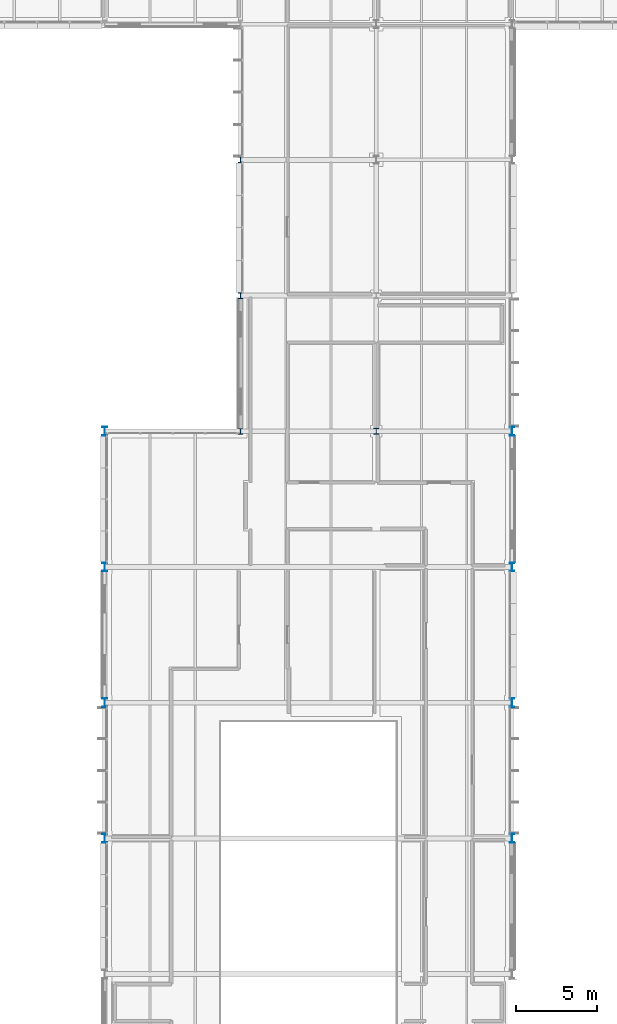
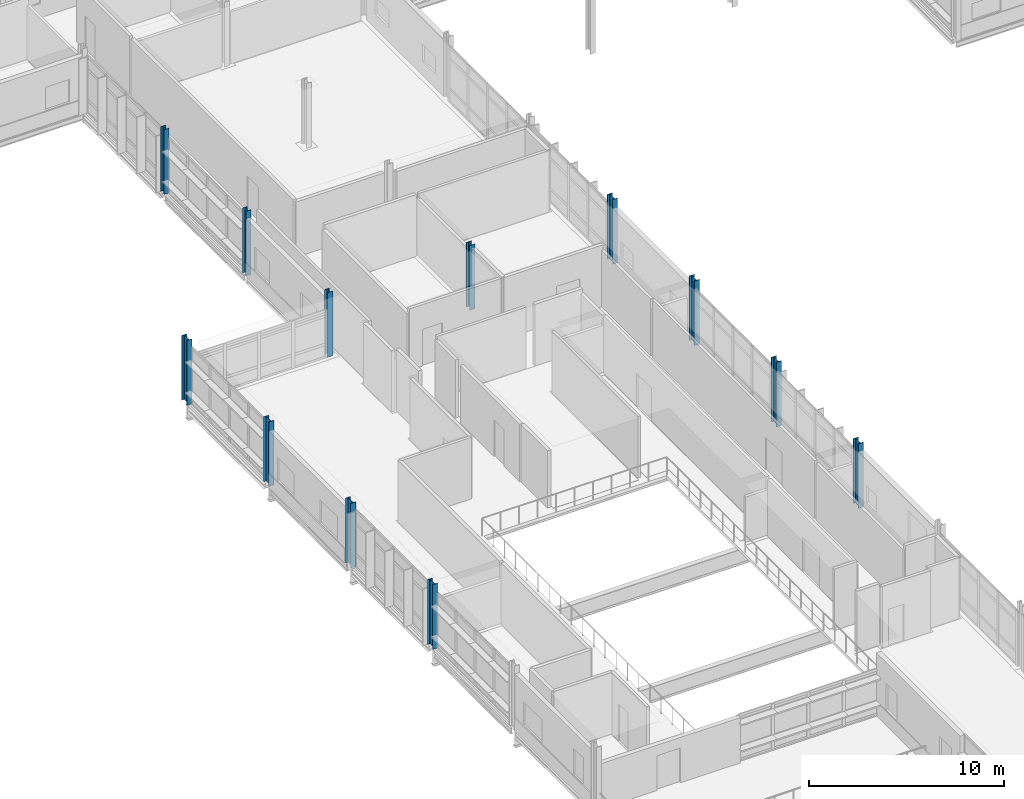
# One storey, part 8 of 131: 12 columns.
"""IFC4 building model written with IfcOpenShell, lengths in metres."""

from ifc_helpers import new_model, si_unit, direction, frame, origin, origin_2d, place, context, subcontext, project, spatial, i_section, extrude, material, material_profile, profile_set, type_object, element, save


model = new_model("IFC4")

# Units and contexts
model_context = context("Model", 3, precision=1e-05, world=origin(), true_north=direction((0.0, 1.0)))
body_context = subcontext(model_context, "Body", "Model", "MODEL_VIEW")
ifc_project = project(units=[si_unit("LENGTHUNIT", "METRE"), si_unit("AREAUNIT", "SQUARE_METRE"), si_unit("VOLUMEUNIT", "CUBIC_METRE"), si_unit("PLANEANGLEUNIT", "RADIAN"), si_unit("MASSUNIT", "GRAM", prefix="KILO")], contexts=[model_context])

# Site, building, storey
site_placement = place(None, origin())
site = spatial("IfcSite", under=ifc_project, at=site_placement, CompositionType="ELEMENT")
building_placement = place(site_placement, origin())
building = spatial("IfcBuilding", under=site, at=building_placement, Name="Mersafa Astral City Hall", CompositionType="ELEMENT")
storey_placement = place(building_placement, frame((0.0, 0.0, 13.949951171875)))
storey = spatial("IfcBuildingStorey", under=building, at=storey_placement, Name="L03", CompositionType="ELEMENT", Elevation=13.949951171875)

# Columns
ifc_material = material(Name="Steel S355", Category="steel")
ifc_material_profile_1 = material_profile(ifc_material, i_section(OverallWidth=0.300048828125, OverallDepth=0.340087890625, WebThickness=0.011962890625, FlangeThickness=0.021484375, FilletRadius=0.027099609375, at=origin_2d()), Name="HEB 340")
ifc_profile_set_1 = profile_set([ifc_material_profile_1], Name="Steel S355")
column_type_1 = type_object("IfcColumnType", Name="STR-COL-HEB340", PredefinedType="COLUMN", material=ifc_profile_set_1)
for number, where, z_axis, x_axis, name in (
    (1, (100.800048828125, 92.39990234375, 0.0), (0.0, 0.0, 1.0), (1.0, 0.0, 0.0), "L03 Structural column G-12-11"),
    (2, (100.800048828125, 109.199951171875, 0.0), (0.0, 0.0, 1.0), (1.0, 0.0, 0.0), "L03 Structural column G-12-13"),
):
    element("IfcColumn", number, at=place(storey_placement, frame(where, z_axis=z_axis, x_axis=x_axis)), inside=storey, type_object=column_type_1, Name=name, PredefinedType="COLUMN", context=body_context, shape_type="SweptSolid", body=[
        extrude(i_section(OverallWidth=0.300048828125, OverallDepth=0.340087890625, WebThickness=0.011962890625, FlangeThickness=0.021484375, FilletRadius=0.027099609375, at=origin_2d()), origin(), (0.0, 0.0, 1.0), 4.050048828125),
    ])
ifc_material_profile_2 = material_profile(ifc_material, i_section(OverallWidth=0.300048828125, OverallDepth=0.360107421875, WebThickness=0.012451171875, FlangeThickness=0.0224609375, FilletRadius=0.027099609375, at=origin_2d()), Name="HEB 360")
ifc_profile_set_2 = profile_set([ifc_material_profile_2], Name="Steel S355")
column_type_2 = type_object("IfcColumnType", Name="STR-COL-HEB360", PredefinedType="COLUMN", material=ifc_profile_set_2)
for number, where, z_axis, x_axis, name in (
    (3, (100.800048828125, 100.800048828125, 0.0), (0.0, 0.0, 1.0), (1.0, 0.0, 0.0), "L03 Structural column G-12-12"),
    (4, (109.199951171875, 92.39990234375, 0.0), (0.0, 0.0, 1.0), (1.0, 0.0, 0.0), "L03 Structural column G-13-11"),
):
    element("IfcColumn", number, at=place(storey_placement, frame(where, z_axis=z_axis, x_axis=x_axis)), inside=storey, type_object=column_type_2, Name=name, PredefinedType="COLUMN", context=body_context, shape_type="SweptSolid", body=[
        extrude(i_section(OverallWidth=0.300048828125, OverallDepth=0.360107421875, WebThickness=0.012451171875, FlangeThickness=0.0224609375, FilletRadius=0.027099609375, at=origin_2d()), origin(), (0.0, 0.0, 1.0), 4.050048828125),
    ])
ifc_material_profile_3 = material_profile(ifc_material, i_section(OverallWidth=0.300048828125, OverallDepth=0.550048828125, WebThickness=0.014892578125, FlangeThickness=0.029052734375, FilletRadius=0.027099609375, at=origin_2d()), Name="HEB 550")
ifc_profile_set_3 = profile_set([ifc_material_profile_3], Name="Steel S355")
column_type_3 = type_object("IfcColumnType", Name="STR-COL-HEB550", PredefinedType="COLUMN", material=ifc_profile_set_3)
for number, where, z_axis, x_axis, name in (
    (5, (92.39990234375, 67.199951171875, 0.0), (0.0, 0.0, 1.0), (1.0, 0.0, 0.0), "L03 Structural column G-11-08"),
    (6, (92.39990234375, 75.60009765625, 0.0), (0.0, 0.0, 1.0), (1.0, 0.0, 0.0), "L03 Structural column G-11-09"),
    (7, (92.39990234375, 84.0, 0.0), (0.0, 0.0, 1.0), (1.0, 0.0, 0.0), "L03 Structural column G-11-10"),
    (8, (92.39990234375, 92.39990234375, 0.0), (0.0, 0.0, 1.0), (1.0, 0.0, 0.0), "L03 Structural column G-11-11"),
    (9, (117.60009765625, 67.199951171875, 0.0), (0.0, 0.0, 1.0), (1.0, 0.0, 0.0), "L03 Structural column G-14-08"),
    (10, (117.60009765625, 75.60009765625, 0.0), (0.0, 0.0, 1.0), (1.0, 0.0, 0.0), "L03 Structural column G-14-09"),
    (11, (117.60009765625, 84.0, 0.0), (0.0, 0.0, 1.0), (1.0, 0.0, 0.0), "L03 Structural column G-14-10"),
    (12, (117.60009765625, 92.39990234375, 0.0), (0.0, 0.0, 1.0), (1.0, 0.0, 0.0), "L03 Structural column G-14-11"),
):
    element("IfcColumn", number, at=place(storey_placement, frame(where, z_axis=z_axis, x_axis=x_axis)), inside=storey, type_object=column_type_3, Name=name, PredefinedType="COLUMN", context=body_context, shape_type="SweptSolid", body=[
        extrude(i_section(OverallWidth=0.300048828125, OverallDepth=0.550048828125, WebThickness=0.014892578125, FlangeThickness=0.029052734375, FilletRadius=0.027099609375, at=origin_2d()), origin(), (0.0, 0.0, 1.0), 4.050048828125),
    ])

save(model, "model.ifc")
